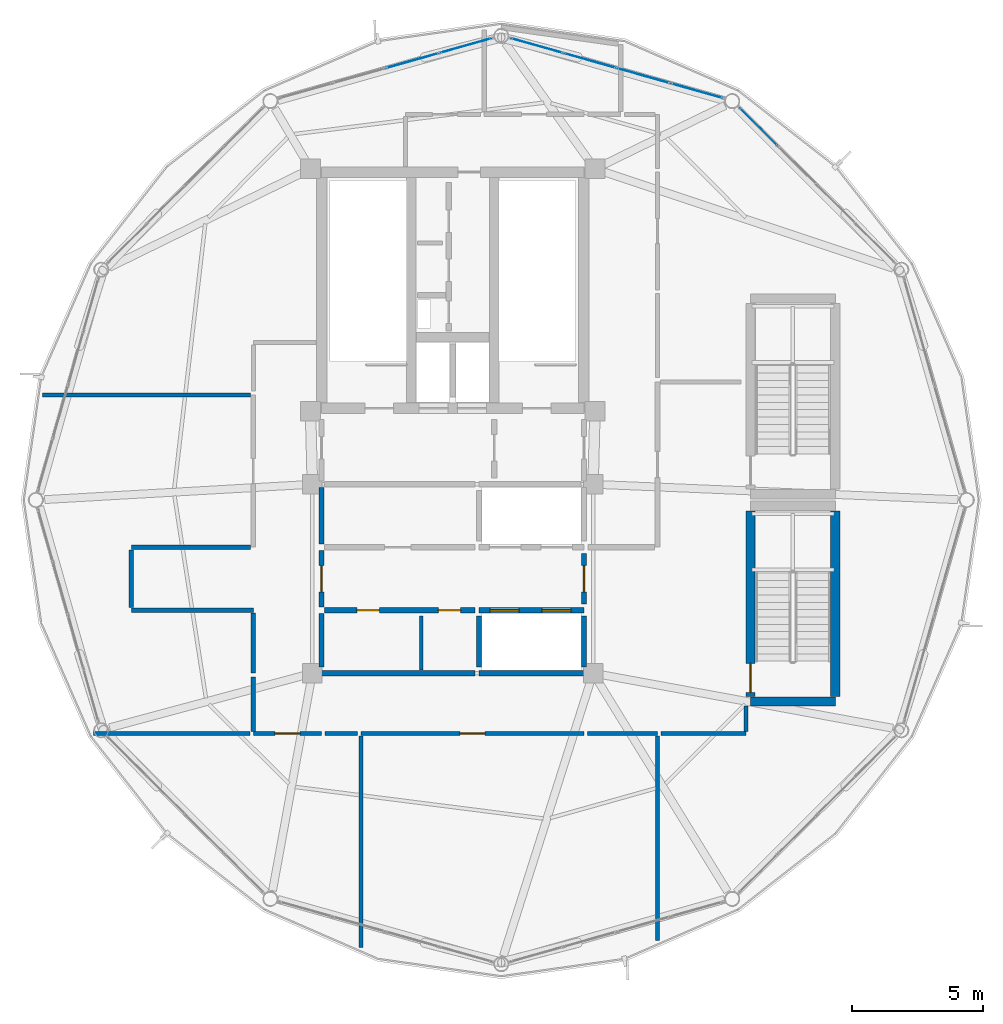
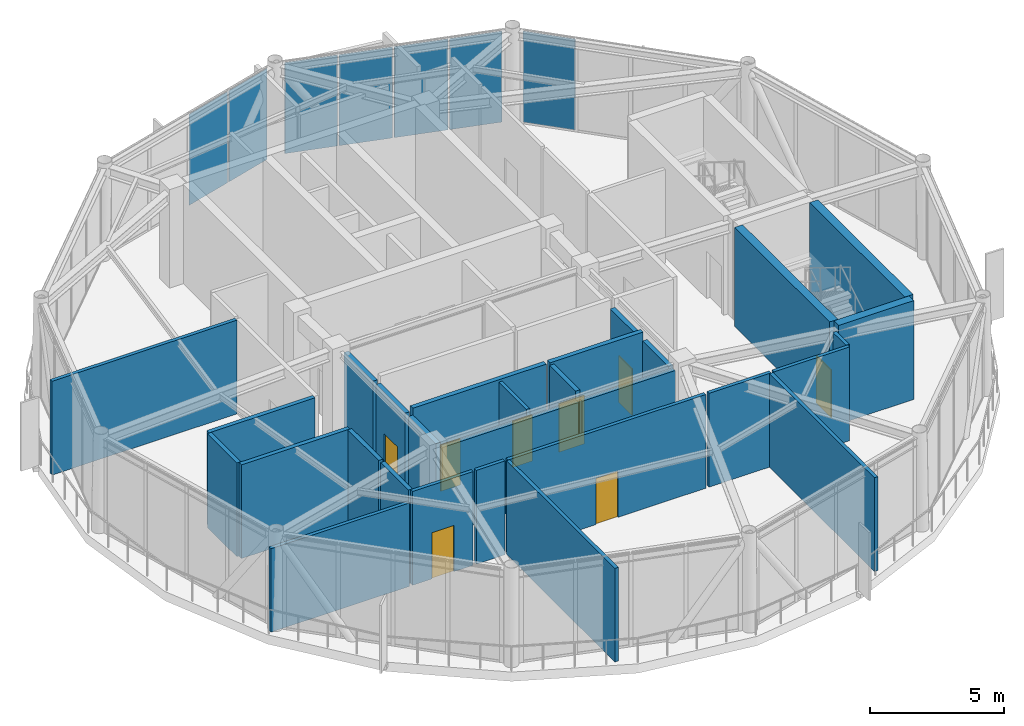
# One storey, part 21 of 26: 29 walls, 9 doors, 7 plates, 9 openings, 3 elements without a shape of their own.
"""IFC4 building model written with IfcOpenShell, lengths in metres."""

from ifc_helpers import new_model, si_unit, direction, frame, frame_2d, origin, origin_2d, place, context, subcontext, project, spatial, rectangle, extrude, source, transform, mapped, material, layer, layer_set, type_object, type_shapes, element, fill, aggregate, save


model = new_model("IFC4")

# Units and contexts
model_context = context("Model", 3, precision=1e-05, world=origin(), true_north=direction((0.0, 1.0)))
body_context = subcontext(model_context, "Body", "Model", "MODEL_VIEW")
ifc_project = project(units=[si_unit("LENGTHUNIT", "METRE"), si_unit("AREAUNIT", "SQUARE_METRE"), si_unit("VOLUMEUNIT", "CUBIC_METRE"), si_unit("PLANEANGLEUNIT", "RADIAN"), si_unit("MASSUNIT", "GRAM", prefix="KILO")], contexts=[model_context])

# Site, building, storey
site_placement = place(None, origin())
site = spatial("IfcSite", under=ifc_project, at=site_placement, CompositionType="ELEMENT")
building_placement = place(site_placement, origin())
building = spatial("IfcBuilding", under=site, at=building_placement, Name="Varnakorn Sky Granary", CompositionType="ELEMENT")
storey_placement = place(building_placement, frame((0.0, 0.0, 289.5)))
storey = spatial("IfcBuildingStorey", under=building, at=storey_placement, Name="L74", CompositionType="ELEMENT", Elevation=289.5)

# Curtain wall, plate
ifc_material_1 = material(Name="Anodised Bronze Aluminium Alloy 6063-T6", Category="aluminium")
ifc_layer_1 = layer(ifc_material_1, 0.159912109375, Name="Anodised Bronze Aluminium Alloy 6063-T6")
ifc_layer_set_1 = layer_set([ifc_layer_1], Name="Anodised Bronze Aluminium Alloy 6063-T6")
curtain_wall_type = type_object("IfcCurtainWallType", Name="CW-OFF-1", PredefinedType="USERDEFINED", material=ifc_layer_set_1)
curtain_wall_1_placement = place(storey_placement, origin())
curtain_wall_1 = element("IfcCurtainWall", 1, at=curtain_wall_1_placement, inside=storey, type_object=curtain_wall_type, Name="Unitised Curtain Wall CW6 CW-L74-B02", ObjectType="CURTAIN WALL", PredefinedType="USERDEFINED")
ifc_material_2 = material(Name="Low-E Tinted Laminated Glass", Category="glass")
ifc_layer_2 = layer(ifc_material_2, 0.02392578125, Name="Low-E Tinted Laminated Glass")
ifc_layer_set_2 = layer_set([ifc_layer_2], Name="Low-E Tinted Laminated Glass")
plate_type = type_object("IfcPlateType", Name="CW-OFF-1-PNL", PredefinedType="CURTAIN_PANEL")
shared_shape_1 = source(origin(), body_context, "Body", "SweptSolid", [
    extrude(rectangle(XDim=2.009033203125, YDim=0.02392578125, at=origin_2d()), origin(), (0.0, 0.0, 1.0), 4.1298828125),
])
plate_1_placement = place(storey_placement, frame((14.6552734375, 14.216796875, 0.06494140625), z_axis=(0.0, 0.0, 1.0), x_axis=(0.708108889088, -0.706103251086, 0.0)))
plate_1 = element("IfcPlate", 2, at=plate_1_placement, type_object=plate_type, material=ifc_layer_set_2, Name="CW6 vision glazing unit 1.1", PredefinedType="CURTAIN_PANEL", context=body_context, shape_type="MappedRepresentation", body=[
    mapped(shared_shape_1, transform((0.0, 0.0, 0.0), x_axis=(1.0, 0.0, 0.0), y_axis=(0.0, 1.0, 0.0), z_axis=(0.0, 0.0, 1.0), scale=1.0)),
])
aggregate(curtain_wall_1, [plate_1])

# Curtain wall, plates
curtain_wall_2_placement = place(storey_placement, origin())
curtain_wall_2 = element("IfcCurtainWall", 3, at=curtain_wall_2_placement, inside=storey, type_object=curtain_wall_type, Name="Unitised Curtain Wall CW6 CW-L74-B03", ObjectType="CURTAIN WALL", PredefinedType="USERDEFINED")
ifc_material_3 = material(Name="Opaque Insulated Aluminium Shadow-Box Unit", Category="aluminium")
ifc_layer_3 = layer(ifc_material_3, 0.02392578125, Name="Opaque Insulated Aluminium Shadow-Box Unit")
ifc_layer_set_3 = layer_set([ifc_layer_3], Name="Opaque Insulated Aluminium Shadow-Box Unit")
shared_shape_2 = source(origin(), body_context, "Body", "SweptSolid", [
    extrude(rectangle(XDim=2.020751953125, YDim=0.02392578125, at=origin_2d()), origin(), (0.0, 0.0, 1.0), 4.1298828125),
])
plate_2_placement = place(storey_placement, frame((6.211669921875, 17.3154296875, 0.06494140625), z_axis=(0.0, 0.0, 1.0), x_axis=(0.962331624488, -0.271878363446, 0.0)))
plate_2 = element("IfcPlate", 4, at=plate_2_placement, type_object=plate_type, material=ifc_layer_set_3, Name="CW6 opaque insulated shadow-box unit 1.1", PredefinedType="CURTAIN_PANEL", context=body_context, shape_type="MappedRepresentation", body=[
    mapped(shared_shape_2, transform((0.0, 0.0, 0.0), x_axis=(1.0, 0.0, 0.0), y_axis=(0.0, 1.0, 0.0), z_axis=(0.0, 0.0, 1.0), scale=1.0)),
])
plate_3_placement = place(storey_placement, frame((12.2958984375, 15.596435546875, 0.06494140625), z_axis=(0.0, 0.0, 1.0), x_axis=(0.962331624488, -0.271878363446, 0.0)))
plate_3 = element("IfcPlate", 5, at=plate_3_placement, type_object=plate_type, material=ifc_layer_set_2, Name="CW6 vision glazing unit 4.1", PredefinedType="CURTAIN_PANEL", context=body_context, shape_type="MappedRepresentation", body=[
    mapped(shared_shape_2, transform((0.0, 0.0, 0.0), x_axis=(1.0, 0.0, 0.0), y_axis=(0.0, 1.0, 0.0), z_axis=(0.0, 0.0, 1.0), scale=1.0)),
])

# Curtain wall, plate
curtain_wall_3_placement = place(storey_placement, origin())
curtain_wall_3 = element("IfcCurtainWall", 6, at=curtain_wall_3_placement, inside=storey, type_object=curtain_wall_type, Name="Unitised Curtain Wall CW6 CW-L74-B04", ObjectType="CURTAIN WALL", PredefinedType="USERDEFINED")
plate_4_placement = place(storey_placement, frame((3.48828125, 17.3154296875, 0.06494140625), z_axis=(0.0, 0.0, 1.0), x_axis=(0.962331624488, 0.271878363446, 0.0)))
plate_4 = element("IfcPlate", 7, at=plate_4_placement, type_object=plate_type, material=ifc_layer_set_3, Name="CW6 opaque insulated shadow-box unit 4.1", PredefinedType="CURTAIN_PANEL", context=body_context, shape_type="MappedRepresentation", body=[
    mapped(shared_shape_2, transform((0.0, 0.0, 0.0), x_axis=(1.0, 0.0, 0.0), y_axis=(0.0, 1.0, 0.0), z_axis=(0.0, 0.0, 1.0), scale=1.0)),
])

# Plate
shared_shape_3 = source(origin(), body_context, "Body", "SweptSolid", [
    extrude(rectangle(XDim=2.05322265625, YDim=0.02392578125, at=origin_2d()), origin(), (0.0, 0.0, 1.0), 4.1298828125),
])
type_shapes(plate_type, [shared_shape_1, shared_shape_2, shared_shape_3])
plate_5_placement = place(storey_placement, frame((8.234375, 16.743896484375, 0.06494140625), z_axis=(0.0, 0.0, 1.0), x_axis=(0.962331624488, -0.271878363446, 0.0)))
plate_5 = element("IfcPlate", 8, at=plate_5_placement, type_object=plate_type, material=ifc_layer_set_3, Name="CW6 opaque insulated shadow-box unit 2.1", PredefinedType="CURTAIN_PANEL", context=body_context, shape_type="MappedRepresentation", body=[
    mapped(shared_shape_3, transform((0.0, 0.0, 0.0), x_axis=(1.0, 0.0, 0.0), y_axis=(0.0, 1.0, 0.0), z_axis=(0.0, 0.0, 1.0), scale=1.0)),
])

plate_6_placement = place(storey_placement, frame((10.27294921875, 16.16796875, 0.06494140625), z_axis=(0.0, 0.0, 1.0), x_axis=(0.962331624488, -0.271878363446, 0.0)))
plate_6 = element("IfcPlate", 9, at=plate_6_placement, type_object=plate_type, material=ifc_layer_set_2, Name="CW6 vision glazing unit 3.1", PredefinedType="CURTAIN_PANEL", context=body_context, shape_type="MappedRepresentation", body=[
    mapped(shared_shape_3, transform((0.0, 0.0, 0.0), x_axis=(1.0, 0.0, 0.0), y_axis=(0.0, 1.0, 0.0), z_axis=(0.0, 0.0, 1.0), scale=1.0)),
])

aggregate(curtain_wall_2, [plate_2, plate_5, plate_6, plate_3])

plate_7_placement = place(storey_placement, frame((1.465576171875, 16.743896484375, 0.06494140625), z_axis=(0.0, 0.0, 1.0), x_axis=(0.962331624488, 0.271878363446, 0.0)))
plate_7 = element("IfcPlate", 10, at=plate_7_placement, type_object=plate_type, material=ifc_layer_set_3, Name="CW6 opaque insulated shadow-box unit 3.1", PredefinedType="CURTAIN_PANEL", context=body_context, shape_type="MappedRepresentation", body=[
    mapped(shared_shape_3, transform((0.0, 0.0, 0.0), x_axis=(1.0, 0.0, 0.0), y_axis=(0.0, 1.0, 0.0), z_axis=(0.0, 0.0, 1.0), scale=1.0)),
])

aggregate(curtain_wall_3, [plate_7, plate_4])

# Wall
ifc_material_4 = material(Name="Concrete C50/60", Category="concrete")
ifc_layer_4 = layer(ifc_material_4, 0.35009765625, Name="Concrete C50/60")
ifc_layer_set_4 = layer_set([ifc_layer_4], Name="Concrete C50/60")
wall_type_1 = type_object("IfcWallType", Name="WT-CW-INT-350", PredefinedType="SHEAR", material=ifc_layer_set_4)
wall_1_placement = place(storey_placement, frame((14.35009765625, -7.679931640625, 0.0), z_axis=(0.0, 0.0, 1.0), x_axis=(1.0, 0.0, 0.0)))
element("IfcWall", 11, at=wall_1_placement, inside=storey, type_object=wall_type_1, Name="Crown Stair STC2 South Wall L74", PredefinedType="SHEAR", context=body_context, shape_type="SweptSolid", body=[
    extrude(rectangle(XDim=3.22998046875, YDim=0.35009765625, at=frame_2d((1.614990234375, 0.0))), origin(), (0.0, 0.0, 1.0), 4.491943359375),
])

# Wall, opening, door
wall_2_placement = place(storey_placement, frame((14.35009765625, -7.489990234375, 0.0), z_axis=(0.0, 0.0, 1.0), x_axis=(0.0, 1.0, 0.0)))
wall_2 = element("IfcWall", 12, at=wall_2_placement, inside=storey, type_object=wall_type_1, Name="Crown Stair STC2 West Wall L74", PredefinedType="SHEAR", context=body_context, shape_type="SweptSolid", body=[
    extrude(rectangle(XDim=7.080078125, YDim=0.35009765625, at=frame_2d((3.5400390625, 0.0))), origin(), (0.0, 0.0, 1.0), 4.491943359375),
])
opening_1_placement = place(wall_2_placement, frame((0.159912109375, 0.0, 0.0)))
opening_1 = element("IfcOpeningElement", 13, at=opening_1_placement, cuts=wall_2, Name="Opening FD-90", PredefinedType="OPENING", context=body_context, shape_type="SweptSolid", body=[
    extrude(rectangle(XDim=1.10009765625, YDim=2.14990234375, at=frame_2d((0.550048828125, 1.074951171875))), frame((0.0, 0.18505859375, 0.0), z_axis=(0.0, -1.0, 0.0), x_axis=(1.0, 0.0, 0.0)), (0.0, 0.0, 1.0), 0.3701171875),
])
ifc_material_5 = material(Name="Galvanised Painted Steel Leaf", Category="steel")
door_type_1 = type_object("IfcDoorType", Name="DR-STAIR-1100", OperationType="NOTDEFINED", PredefinedType="DOOR", material=ifc_material_5)
door_1_placement = place(opening_1_placement, origin())
door_1 = element("IfcDoor", 14, at=door_1_placement, inside=storey, type_object=door_type_1, Name="Crown Stair STC2 Protected Fire Door L74", OperationType="SINGLE_SWING_RIGHT", OverallHeight=2.14990234375, OverallWidth=1.10009765625, PredefinedType="DOOR", context=body_context, shape_type="SweptSolid", body=[
    extrude(rectangle(XDim=1.10009765625, YDim=2.14990234375, at=frame_2d((0.550048828125, 1.074951171875))), frame((0.0, 0.02490234375, 0.0), z_axis=(0.0, -1.0, 0.0), x_axis=(1.0, 0.0, 0.0)), (0.0, 0.0, 1.0), 0.050048828125),
])
fill(opening_1, door_1)

# Wall
wall_3_placement = place(storey_placement, frame((17.580078125, -7.489990234375, 0.0), z_axis=(0.0, 0.0, 1.0), x_axis=(0.0, 1.0, 0.0)))
element("IfcWall", 15, at=wall_3_placement, inside=storey, type_object=wall_type_1, Name="Crown Stair STC2 East Wall L74", PredefinedType="SHEAR", context=body_context, shape_type="SweptSolid", body=[
    extrude(rectangle(XDim=7.080078125, YDim=0.35009765625, at=frame_2d((3.5400390625, 0.0))), origin(), (0.0, 0.0, 1.0), 4.491943359375),
])

# Wall, opening, door
ifc_material_6 = material(Name="Autoclaved Aerated Concrete Blockwork", Category="masonry")
ifc_layer_5 = layer(ifc_material_6, 0.199951171875, Name="Autoclaved Aerated Concrete Blockwork")
ifc_layer_set_5 = layer_set([ifc_layer_5], Name="Autoclaved Aerated Concrete Blockwork")
wall_type_2 = type_object("IfcWallType", Name="WT-FIRE-200", PredefinedType="MOVABLE", material=ifc_layer_set_5)
wall_4_placement = place(storey_placement, frame((-2.0, -4.080078125, 0.0), z_axis=(0.0, 0.0, 1.0), x_axis=(0.0, 1.0, 0.0)))
wall_4 = element("IfcWall", 16, at=wall_4_placement, inside=storey, type_object=wall_type_2, Name="Interior Partition Wall L74-015", PredefinedType="MOVABLE", context=body_context, shape_type="SweptSolid", body=[
    extrude(rectangle(XDim=2.16015625, YDim=0.199951171875, at=frame_2d((1.080078125, 0.0))), origin(), (0.0, 0.0, 1.0), 3.971923828125),
])
opening_2_placement = place(wall_4_placement, frame((0.580078125, 0.0, 0.0)))
opening_2 = element("IfcOpeningElement", 17, at=opening_2_placement, cuts=wall_4, Name="Opening FD-60", PredefinedType="OPENING", context=body_context, shape_type="SweptSolid", body=[
    extrude(rectangle(XDim=1.0, YDim=2.10009765625, at=frame_2d((0.5, 1.050048828125))), frame((0.0, 0.10986328125, 0.0), z_axis=(0.0, -1.0, 0.0), x_axis=(1.0, 0.0, 0.0)), (0.0, 0.0, 1.0), 0.219970703125),
])
ifc_material_7 = material(Name="Acoustic Timber Fire Leaf", Category="wood")
door_type_2 = type_object("IfcDoorType", Name="DR-FD60-1000", OperationType="NOTDEFINED", PredefinedType="DOOR", material=ifc_material_7)
door_2_placement = place(opening_2_placement, origin())
door_2 = element("IfcDoor", 18, at=door_2_placement, inside=storey, type_object=door_type_2, Name="Interior Door L74-015-1", OperationType="SINGLE_SWING_RIGHT", OverallHeight=2.10009765625, OverallWidth=1.0, PredefinedType="DOOR", context=body_context, shape_type="SweptSolid", body=[
    extrude(rectangle(XDim=1.0, YDim=2.10009765625, at=frame_2d((0.5, 1.050048828125))), frame((0.0, 0.02490234375, 0.0), z_axis=(0.0, -1.0, 0.0), x_axis=(1.0, 0.0, 0.0)), (0.0, 0.0, 1.0), 0.050048828125),
])
fill(opening_2, door_2)

wall_5_placement = place(storey_placement, frame((8.0, -3.969970703125, 0.0), z_axis=(0.0, 0.0, 1.0), x_axis=(0.0, 1.0, 0.0)))
wall_5 = element("IfcWall", 19, at=wall_5_placement, inside=storey, type_object=wall_type_2, Name="Interior Partition Wall L74-016", PredefinedType="MOVABLE", context=body_context, shape_type="SweptSolid", body=[
    extrude(rectangle(XDim=1.93994140625, YDim=0.199951171875, at=frame_2d((0.969970703125, 0.0))), origin(), (0.0, 0.0, 1.0), 3.971923828125),
])
opening_3_placement = place(wall_5_placement, frame((0.469970703125, 0.0, 0.0)))
opening_3 = element("IfcOpeningElement", 20, at=opening_3_placement, cuts=wall_5, Name="Opening FD-60", PredefinedType="OPENING", context=body_context, shape_type="SweptSolid", body=[
    extrude(rectangle(XDim=1.0, YDim=2.10009765625, at=frame_2d((0.5, 1.050048828125))), frame((0.0, 0.10986328125, 0.0), z_axis=(0.0, -1.0, 0.0), x_axis=(1.0, 0.0, 0.0)), (0.0, 0.0, 1.0), 0.219970703125),
])
door_3_placement = place(opening_3_placement, origin())
door_3 = element("IfcDoor", 21, at=door_3_placement, inside=storey, type_object=door_type_2, Name="Interior Door L74-016-1", OperationType="SINGLE_SWING_LEFT", OverallHeight=2.10009765625, OverallWidth=1.0, PredefinedType="DOOR", context=body_context, shape_type="SweptSolid", body=[
    extrude(rectangle(XDim=1.0, YDim=2.10009765625, at=frame_2d((0.5, 1.050048828125))), frame((0.0, 0.02490234375, 0.0), z_axis=(0.0, -1.0, 0.0), x_axis=(1.0, 0.0, 0.0)), (0.0, 0.0, 1.0), 0.050048828125),
])
fill(opening_3, door_3)

# Wall, openings, doors
wall_6_placement = place(storey_placement, frame((-1.889892578125, -4.199951171875, 0.0), z_axis=(0.0, 0.0, 1.0), x_axis=(1.0, 0.0, 0.0)))
wall_6 = element("IfcWall", 22, at=wall_6_placement, inside=storey, type_object=wall_type_2, Name="Interior Partition Wall L74-018", PredefinedType="MOVABLE", context=body_context, shape_type="SweptSolid", body=[
    extrude(rectangle(XDim=5.72998046875, YDim=0.199951171875, at=frame_2d((2.864990234375, 0.0))), origin(), (0.0, 0.0, 1.0), 4.260009765625),
])
opening_4_placement = place(wall_6_placement, frame((1.239990234375, 0.0, 0.0)))
opening_4 = element("IfcOpeningElement", 23, at=opening_4_placement, cuts=wall_6, Name="Opening FD-60N", PredefinedType="OPENING", context=body_context, shape_type="SweptSolid", body=[
    extrude(rectangle(XDim=0.85009765625, YDim=2.10009765625, at=frame_2d((0.425048828125, 1.050048828125))), frame((0.0, 0.10986328125, 0.0), z_axis=(0.0, -1.0, 0.0), x_axis=(1.0, 0.0, 0.0)), (0.0, 0.0, 1.0), 0.219970703125),
])
opening_5_placement = place(wall_6_placement, frame((4.340087890625, 0.0, 0.0)))
opening_5 = element("IfcOpeningElement", 24, at=opening_5_placement, cuts=wall_6, Name="Opening FD-60N", PredefinedType="OPENING", context=body_context, shape_type="SweptSolid", body=[
    extrude(rectangle(XDim=0.85009765625, YDim=2.10009765625, at=frame_2d((0.425048828125, 1.050048828125))), frame((0.0, 0.10986328125, 0.0), z_axis=(0.0, -1.0, 0.0), x_axis=(1.0, 0.0, 0.0)), (0.0, 0.0, 1.0), 0.219970703125),
])
door_type_3 = type_object("IfcDoorType", Name="DR-FD60-850", OperationType="NOTDEFINED", PredefinedType="DOOR", material=ifc_material_7)
door_4_placement = place(opening_4_placement, origin())
door_4 = element("IfcDoor", 25, at=door_4_placement, inside=storey, type_object=door_type_3, Name="Interior Door L74-018-1", OperationType="SINGLE_SWING_LEFT", OverallHeight=2.10009765625, OverallWidth=0.85009765625, PredefinedType="DOOR", context=body_context, shape_type="SweptSolid", body=[
    extrude(rectangle(XDim=0.85009765625, YDim=2.10009765625, at=frame_2d((0.425048828125, 1.050048828125))), frame((0.0, 0.02490234375, 0.0), z_axis=(0.0, -1.0, 0.0), x_axis=(1.0, 0.0, 0.0)), (0.0, 0.0, 1.0), 0.050048828125),
])
fill(opening_4, door_4)
door_5_placement = place(opening_5_placement, origin())
door_5 = element("IfcDoor", 26, at=door_5_placement, inside=storey, type_object=door_type_3, Name="Interior Door L74-018-2", OperationType="SINGLE_SWING_RIGHT", OverallHeight=2.10009765625, OverallWidth=0.85009765625, PredefinedType="DOOR", context=body_context, shape_type="SweptSolid", body=[
    extrude(rectangle(XDim=0.85009765625, YDim=2.10009765625, at=frame_2d((0.425048828125, 1.050048828125))), frame((0.0, 0.02490234375, 0.0), z_axis=(0.0, -1.0, 0.0), x_axis=(1.0, 0.0, 0.0)), (0.0, 0.0, 1.0), 0.050048828125),
])
fill(opening_5, door_5)

# Walls
wall_7_placement = place(storey_placement, frame((-2.0, -1.679931640625, 0.0), z_axis=(0.0, 0.0, 1.0), x_axis=(0.0, 1.0, 0.0)))
element("IfcWall", 27, at=wall_7_placement, inside=storey, type_object=wall_type_2, Name="Interior Partition Wall L74-028", PredefinedType="MOVABLE", context=body_context, shape_type="SweptSolid", body=[
    extrude(rectangle(XDim=2.159912109375, YDim=0.199951171875, at=frame_2d((1.080078125, 0.0))), origin(), (0.0, 0.0, 1.0), 3.971923828125),
])
wall_8_placement = place(storey_placement, frame((-2.0, -6.60009765625, 0.0), z_axis=(0.0, 0.0, 1.0), x_axis=(1.0, 0.0, 0.0)))
element("IfcWall", 28, at=wall_8_placement, inside=storey, type_object=wall_type_2, Name="Interior Partition Wall L74-030", PredefinedType="MOVABLE", context=body_context, shape_type="SweptSolid", body=[
    extrude(rectangle(XDim=5.840087890625, YDim=0.199951171875, at=frame_2d((2.919921875, 0.0))), origin(), (0.0, 0.0, 1.0), 3.971923828125),
])
wall_9_placement = place(storey_placement, frame((-2.0, -6.3701171875, 0.0), z_axis=(0.0, 0.0, 1.0), x_axis=(0.0, 1.0, 0.0)))
element("IfcWall", 29, at=wall_9_placement, inside=storey, type_object=wall_type_2, Name="Interior Partition Wall L74-031", PredefinedType="MOVABLE", context=body_context, shape_type="SweptSolid", body=[
    extrude(rectangle(XDim=2.050048828125, YDim=0.199951171875, at=frame_2d((1.02490234375, 0.0))), origin(), (0.0, 0.0, 1.0), 3.971923828125),
])

# Wall, opening, door
ifc_material_8 = material(Name="Gypsum Plasterboard on Steel Stud", Category="steel")
ifc_layer_6 = layer(ifc_material_8, 0.14990234375, Name="Gypsum Plasterboard on Steel Stud")
ifc_layer_set_6 = layer_set([ifc_layer_6], Name="Gypsum Plasterboard on Steel Stud")
wall_type_3 = type_object("IfcWallType", Name="WT-PART-150", PredefinedType="PARTITIONING", material=ifc_layer_set_6)
wall_10_placement = place(storey_placement, frame((-4.60009765625, -8.89990234375, 0.0), z_axis=(0.0, 0.0, 1.0), x_axis=(1.0, 0.0, 0.0)))
wall_10 = element("IfcWall", 30, at=wall_10_placement, inside=storey, type_object=wall_type_3, Name="Interior Partition Wall L74-021", PredefinedType="PARTITIONING", context=body_context, shape_type="SweptSolid", body=[
    extrude(rectangle(XDim=2.60009765625, YDim=0.14990234375, at=frame_2d((1.300048828125, 0.0))), origin(), (0.0, 0.0, 1.0), 4.260009765625),
])
opening_6_placement = place(wall_10_placement, frame((0.824951171875, 0.0, 0.0)))
opening_6 = element("IfcOpeningElement", 31, at=opening_6_placement, cuts=wall_10, Name="Opening ID-95", PredefinedType="OPENING", context=body_context, shape_type="SweptSolid", body=[
    extrude(rectangle(XDim=0.949951171875, YDim=2.10009765625, at=frame_2d((0.47509765625, 1.050048828125))), frame((0.0, 0.0849609375, 0.0), z_axis=(0.0, -1.0, 0.0), x_axis=(1.0, 0.0, 0.0)), (0.0, 0.0, 1.0), 0.169921875),
])
ifc_material_9 = material(Name="Solid-Core Teak Veneer Leaf", Category="timber")
door_type_4 = type_object("IfcDoorType", Name="DR-INT-950", OperationType="NOTDEFINED", PredefinedType="DOOR", material=ifc_material_9)
door_6_placement = place(opening_6_placement, origin())
door_6 = element("IfcDoor", 32, at=door_6_placement, inside=storey, type_object=door_type_4, Name="Interior Door L74-021-1", OperationType="SINGLE_SWING_LEFT", OverallHeight=2.10009765625, OverallWidth=0.949951171875, PredefinedType="DOOR", context=body_context, shape_type="SweptSolid", body=[
    extrude(rectangle(XDim=0.949951171875, YDim=2.10009765625, at=frame_2d((0.47509765625, 1.050048828125))), frame((0.0, 0.02490234375, 0.0), z_axis=(0.0, -1.0, 0.0), x_axis=(1.0, 0.0, 0.0)), (0.0, 0.0, 1.0), 0.050048828125),
])
fill(opening_6, door_6)

wall_11_placement = place(storey_placement, frame((-0.5, -8.89990234375, 0.0), z_axis=(0.0, 0.0, 1.0), x_axis=(1.0, 0.0, 0.0)))
wall_11 = element("IfcWall", 33, at=wall_11_placement, inside=storey, type_object=wall_type_3, Name="Interior Partition Wall L74-022", PredefinedType="PARTITIONING", context=body_context, shape_type="SweptSolid", body=[
    extrude(rectangle(XDim=8.5, YDim=0.14990234375, at=frame_2d((4.25, 0.0))), origin(), (0.0, 0.0, 1.0), 4.260009765625),
])
opening_7_placement = place(wall_11_placement, frame((3.77490234375, 0.0, 0.0)))
opening_7 = element("IfcOpeningElement", 34, at=opening_7_placement, cuts=wall_11, Name="Opening ID-95", PredefinedType="OPENING", context=body_context, shape_type="SweptSolid", body=[
    extrude(rectangle(XDim=0.949951171875, YDim=2.10009765625, at=frame_2d((0.47509765625, 1.050048828125))), frame((0.0, 0.0849609375, 0.0), z_axis=(0.0, -1.0, 0.0), x_axis=(1.0, 0.0, 0.0)), (0.0, 0.0, 1.0), 0.169921875),
])
door_7_placement = place(opening_7_placement, origin())
door_7 = element("IfcDoor", 35, at=door_7_placement, inside=storey, type_object=door_type_4, Name="Interior Door L74-022-1", OperationType="SINGLE_SWING_RIGHT", OverallHeight=2.10009765625, OverallWidth=0.949951171875, PredefinedType="DOOR", context=body_context, shape_type="SweptSolid", body=[
    extrude(rectangle(XDim=0.949951171875, YDim=2.10009765625, at=frame_2d((0.47509765625, 1.050048828125))), frame((0.0, 0.02490234375, 0.0), z_axis=(0.0, -1.0, 0.0), x_axis=(1.0, 0.0, 0.0)), (0.0, 0.0, 1.0), 0.050048828125),
])
fill(opening_7, door_7)

# Walls
wall_12_placement = place(storey_placement, frame((1.800048828125, -6.47998046875, 0.0), z_axis=(0.0, 0.0, 1.0), x_axis=(0.0, 1.0, 0.0)))
element("IfcWall", 36, at=wall_12_placement, inside=storey, type_object=wall_type_3, Name="Interior Partition Wall L74-029", PredefinedType="PARTITIONING", context=body_context, shape_type="SweptSolid", body=[
    extrude(rectangle(XDim=2.050048828125, YDim=0.14990234375, at=frame_2d((1.02490234375, 0.0))), origin(), (0.0, 0.0, 1.0), 4.260009765625),
])
wall_13_placement = place(storey_placement, frame((-1.864990234375, -8.89990234375, 0.0), z_axis=(0.0, 0.0, 1.0), x_axis=(1.0, 0.0, 0.0)))
element("IfcWall", 37, at=wall_13_placement, inside=storey, type_object=wall_type_3, Name="Interior Partition Wall L74-034", PredefinedType="PARTITIONING", context=body_context, shape_type="SweptSolid", body=[
    extrude(rectangle(XDim=1.22998046875, YDim=0.14990234375, at=frame_2d((0.614990234375, 0.0))), origin(), (0.0, 0.0, 1.0), 4.260009765625),
])
wall_14_placement = place(storey_placement, frame((-0.5, -8.985107421875, 0.0), z_axis=(0.0, 0.0, 1.0), x_axis=(0.0, -1.0, 0.0)))
element("IfcWall", 38, at=wall_14_placement, inside=storey, type_object=wall_type_3, Name="Interior Partition Wall L74-035", PredefinedType="PARTITIONING", context=body_context, shape_type="SweptSolid", body=[
    extrude(rectangle(XDim=8.06884765625, YDim=0.14990234375, at=frame_2d((4.034423828125, 0.0))), origin(), (0.0, 0.0, 1.0), 4.260009765625),
])
wall_15_placement = place(storey_placement, frame((-10.68994140625, -8.89990234375, 0.0), z_axis=(0.0, 0.0, 1.0), x_axis=(1.0, 0.0, 0.0)))
element("IfcWall", 39, at=wall_15_placement, inside=storey, type_object=wall_type_3, Name="Interior Partition Wall L74-036", PredefinedType="PARTITIONING", context=body_context, shape_type="SweptSolid", body=[
    extrude(rectangle(XDim=5.954833984375, YDim=0.14990234375, at=frame_2d((2.9775390625, 0.0))), origin(), (0.0, 0.0, 1.0), 3.7919921875),
])
wall_16_placement = place(storey_placement, frame((8.135009765625, -8.89990234375, 0.0), z_axis=(0.0, 0.0, 1.0), x_axis=(1.0, 0.0, 0.0)))
element("IfcWall", 40, at=wall_16_placement, inside=storey, type_object=wall_type_3, Name="Interior Partition Wall L74-037", PredefinedType="PARTITIONING", context=body_context, shape_type="SweptSolid", body=[
    extrude(rectangle(XDim=2.6650390625, YDim=0.14990234375, at=frame_2d((1.33251953125, 0.0))), origin(), (0.0, 0.0, 1.0), 4.260009765625),
])
wall_17_placement = place(storey_placement, frame((10.800048828125, -8.985107421875, 0.0), z_axis=(0.0, 0.0, 1.0), x_axis=(0.0, -1.0, 0.0)))
element("IfcWall", 41, at=wall_17_placement, inside=storey, type_object=wall_type_3, Name="Interior Partition Wall L74-038", PredefinedType="PARTITIONING", context=body_context, shape_type="SweptSolid", body=[
    extrude(rectangle(XDim=7.806884765625, YDim=0.14990234375, at=frame_2d((3.9033203125, 0.0))), origin(), (0.0, 0.0, 1.0), 4.260009765625),
])
wall_18_placement = place(storey_placement, frame((-12.64306640625, 4.0, 0.0), z_axis=(0.0, 0.0, 1.0), x_axis=(1.0, 0.0, 0.0)))
element("IfcWall", 42, at=wall_18_placement, inside=storey, type_object=wall_type_3, Name="Interior Partition Wall L74-044", PredefinedType="PARTITIONING", context=body_context, shape_type="SweptSolid", body=[
    extrude(rectangle(XDim=7.943115234375, YDim=0.14990234375, at=frame_2d((3.9716796875, 0.0))), origin(), (0.0, 0.0, 1.0), 4.260009765625),
])
wall_19_placement = place(storey_placement, frame((10.93505859375, -8.89990234375, 0.0), z_axis=(0.0, 0.0, 1.0), x_axis=(1.0, 0.0, 0.0)))
element("IfcWall", 43, at=wall_19_placement, inside=storey, type_object=wall_type_3, Name="Interior Partition Wall L74-052", PredefinedType="PARTITIONING", context=body_context, shape_type="SweptSolid", body=[
    extrude(rectangle(XDim=3.244873046875, YDim=0.14990234375, at=frame_2d((1.62255859375, 0.0))), origin(), (0.0, 0.0, 1.0), 4.260009765625),
])
wall_20_placement = place(storey_placement, frame((14.179931640625, -8.81494140625, 0.0), z_axis=(0.0, 0.0, 1.0), x_axis=(0.0, 1.0, 0.0)))
element("IfcWall", 44, at=wall_20_placement, inside=storey, type_object=wall_type_3, Name="Interior Partition Wall L74-053", PredefinedType="PARTITIONING", context=body_context, shape_type="SweptSolid", body=[
    extrude(rectangle(XDim=0.96484375, YDim=0.14990234375, at=frame_2d((0.482421875, 0.0))), origin(), (0.0, 0.0, 1.0), 4.260009765625),
])
ifc_material_10 = material(Name="Moisture-Resistant Gypsum on Stud", Category="gypsum")
ifc_layer_7 = layer(ifc_material_10, 0.179931640625, Name="Moisture-Resistant Gypsum on Stud")
ifc_layer_set_7 = layer_set([ifc_layer_7], Name="Moisture-Resistant Gypsum on Stud")
wall_type_4 = type_object("IfcWallType", Name="WT-PLUMB-180", PredefinedType="PLUMBINGWALL", material=ifc_layer_set_7)
wall_21_placement = place(storey_placement, frame((-4.699951171875, -1.800048828125, 0.0), z_axis=(0.0, 0.0, 1.0), x_axis=(-1.0, 0.0, 0.0)))
element("IfcWall", 45, at=wall_21_placement, inside=storey, type_object=wall_type_4, Name="Interior Partition Wall L74-039", PredefinedType="PLUMBINGWALL", context=body_context, shape_type="SweptSolid", body=[
    extrude(rectangle(XDim=4.550048828125, YDim=0.179931640625, at=frame_2d((2.27490234375, 0.0))), origin(), (0.0, 0.0, 1.0), 4.260009765625),
])
wall_22_placement = place(storey_placement, frame((-9.25, -4.199951171875, 0.0), z_axis=(0.0, 0.0, 1.0), x_axis=(1.0, 0.0, 0.0)))
element("IfcWall", 46, at=wall_22_placement, inside=storey, type_object=wall_type_4, Name="Interior Partition Wall L74-040", PredefinedType="PLUMBINGWALL", context=body_context, shape_type="SweptSolid", body=[
    extrude(rectangle(XDim=4.64990234375, YDim=0.179931640625, at=frame_2d((2.324951171875, 0.0))), origin(), (0.0, 0.0, 1.0), 4.260009765625),
])
wall_23_placement = place(storey_placement, frame((-9.25, -1.89990234375, 0.0), z_axis=(0.0, 0.0, 1.0), x_axis=(0.0, -1.0, 0.0)))
element("IfcWall", 47, at=wall_23_placement, inside=storey, type_object=wall_type_4, Name="Interior Partition Wall L74-041", PredefinedType="PLUMBINGWALL", context=body_context, shape_type="SweptSolid", body=[
    extrude(rectangle(XDim=2.2001953125, YDim=0.179931640625, at=frame_2d((1.10009765625, 0.0))), origin(), (0.0, 0.0, 1.0), 4.260009765625),
])
wall_24_placement = place(storey_placement, frame((-4.60009765625, -4.300048828125, 0.0), z_axis=(0.0, 0.0, 1.0), x_axis=(0.0, -1.0, 0.0)))
element("IfcWall", 48, at=wall_24_placement, inside=storey, type_object=wall_type_4, Name="Interior Partition Wall L74-042", PredefinedType="PLUMBINGWALL", context=body_context, shape_type="SweptSolid", body=[
    extrude(rectangle(XDim=2.300048828125, YDim=0.179931640625, at=frame_2d((1.14990234375, 0.0))), origin(), (0.0, 0.0, 1.0), 4.260009765625),
])
wall_25_placement = place(storey_placement, frame((-4.60009765625, -6.75, 0.0), z_axis=(0.0, 0.0, 1.0), x_axis=(0.0, -1.0, 0.0)))
element("IfcWall", 49, at=wall_25_placement, inside=storey, type_object=wall_type_4, Name="Interior Partition Wall L74-043", PredefinedType="PLUMBINGWALL", context=body_context, shape_type="SweptSolid", body=[
    extrude(rectangle(XDim=2.06494140625, YDim=0.179931640625, at=frame_2d((1.032470703125, 0.0))), origin(), (0.0, 0.0, 1.0), 4.260009765625),
])

# Wall, openings, doors
ifc_layer_8 = layer(ifc_material_6, 0.199951171875, Name="Autoclaved Aerated Concrete Blockwork")
ifc_layer_set_8 = layer_set([ifc_layer_8], Name="Autoclaved Aerated Concrete Blockwork")
wall_type_5 = type_object("IfcWallType", Name="WT-SHAFT-200", PredefinedType="SOLIDWALL", material=ifc_layer_set_8)
wall_26_placement = place(storey_placement, frame((4.0, -4.199951171875, 0.0), z_axis=(0.0, 0.0, 1.0), x_axis=(1.0, 0.0, 0.0)))
wall_26 = element("IfcWall", 50, at=wall_26_placement, inside=storey, type_object=wall_type_5, Name="Interior Partition Wall L74-007", PredefinedType="SOLIDWALL", context=body_context, shape_type="SweptSolid", body=[
    extrude(rectangle(XDim=4.0, YDim=0.199951171875, at=frame_2d((2.0, 0.0))), origin(), (0.0, 0.0, 1.0), 4.260009765625),
])
opening_8_placement = place(wall_26_placement, frame((0.429931640625, 0.0, 0.0)))
opening_8 = element("IfcOpeningElement", 51, at=opening_8_placement, cuts=wall_26, Name="Opening LD-01", PredefinedType="OPENING", context=body_context, shape_type="SweptSolid", body=[
    extrude(rectangle(XDim=1.10009765625, YDim=2.199951171875, at=frame_2d((0.550048828125, 1.10009765625))), frame((0.0, 0.10986328125, 0.0), z_axis=(0.0, -1.0, 0.0), x_axis=(1.0, 0.0, 0.0)), (0.0, 0.0, 1.0), 0.219970703125),
])
opening_9_placement = place(wall_26_placement, frame((2.39990234375, 0.0, 0.0)))
opening_9 = element("IfcOpeningElement", 52, at=opening_9_placement, cuts=wall_26, Name="Opening LD-01", PredefinedType="OPENING", context=body_context, shape_type="SweptSolid", body=[
    extrude(rectangle(XDim=1.10009765625, YDim=2.199951171875, at=frame_2d((0.550048828125, 1.10009765625))), frame((0.0, 0.10986328125, 0.0), z_axis=(0.0, -1.0, 0.0), x_axis=(1.0, 0.0, 0.0)), (0.0, 0.0, 1.0), 0.219970703125),
])
ifc_material_11 = material(Name="Brushed Bronze Stainless Steel", Category="steel")
door_type_5 = type_object("IfcDoorType", Name="DR-LD-1100", OperationType="DOUBLE_DOOR_SLIDING", PredefinedType="DOOR", material=ifc_material_11)
door_8_placement = place(opening_8_placement, origin())
door_8 = element("IfcDoor", 53, at=door_8_placement, inside=storey, type_object=door_type_5, Name="Passenger Lift PL-H1 Sliding Landing Door L74", OperationType="DOUBLE_DOOR_SLIDING", OverallHeight=2.199951171875, OverallWidth=1.10009765625, PredefinedType="DOOR", context=body_context, shape_type="SweptSolid", body=[
    extrude(rectangle(XDim=1.10009765625, YDim=2.199951171875, at=frame_2d((0.550048828125, 1.10009765625))), frame((0.0, 0.02490234375, 0.0), z_axis=(0.0, -1.0, 0.0), x_axis=(1.0, 0.0, 0.0)), (0.0, 0.0, 1.0), 0.050048828125),
])
fill(opening_8, door_8)
door_9_placement = place(opening_9_placement, origin())
door_9 = element("IfcDoor", 54, at=door_9_placement, inside=storey, type_object=door_type_5, Name="Passenger Lift PL-H2 Sliding Landing Door L74", OperationType="DOUBLE_DOOR_SLIDING", OverallHeight=2.199951171875, OverallWidth=1.10009765625, PredefinedType="DOOR", context=body_context, shape_type="SweptSolid", body=[
    extrude(rectangle(XDim=1.10009765625, YDim=2.199951171875, at=frame_2d((0.550048828125, 1.10009765625))), frame((0.0, 0.02490234375, 0.0), z_axis=(0.0, -1.0, 0.0), x_axis=(1.0, 0.0, 0.0)), (0.0, 0.0, 1.0), 0.050048828125),
])
fill(opening_9, door_9)

# Walls
wall_27_placement = place(storey_placement, frame((4.0, -6.60009765625, 0.0), z_axis=(0.0, 0.0, 1.0), x_axis=(1.0, 0.0, 0.0)))
element("IfcWall", 55, at=wall_27_placement, inside=storey, type_object=wall_type_5, Name="Interior Partition Wall L74-008", PredefinedType="SOLIDWALL", context=body_context, shape_type="SweptSolid", body=[
    extrude(rectangle(XDim=4.0, YDim=0.199951171875, at=frame_2d((2.0, 0.0))), origin(), (0.0, 0.0, 1.0), 3.971923828125),
])
wall_28_placement = place(storey_placement, frame((4.0, -6.3701171875, 0.0), z_axis=(0.0, 0.0, 1.0), x_axis=(0.0, 1.0, 0.0)))
element("IfcWall", 56, at=wall_28_placement, inside=storey, type_object=wall_type_5, Name="Interior Partition Wall L74-009", PredefinedType="SOLIDWALL", context=body_context, shape_type="SweptSolid", body=[
    extrude(rectangle(XDim=1.940185546875, YDim=0.199951171875, at=frame_2d((0.97021484375, 0.0))), origin(), (0.0, 0.0, 1.0), 4.260009765625),
])
wall_29_placement = place(storey_placement, frame((8.0, -6.3701171875, 0.0), z_axis=(0.0, 0.0, 1.0), x_axis=(0.0, 1.0, 0.0)))
element("IfcWall", 57, at=wall_29_placement, inside=storey, type_object=wall_type_5, Name="Interior Partition Wall L74-010", PredefinedType="SOLIDWALL", context=body_context, shape_type="SweptSolid", body=[
    extrude(rectangle(XDim=1.940185546875, YDim=0.199951171875, at=frame_2d((0.97021484375, 0.0))), origin(), (0.0, 0.0, 1.0), 3.971923828125),
])

save(model, "model.ifc")
